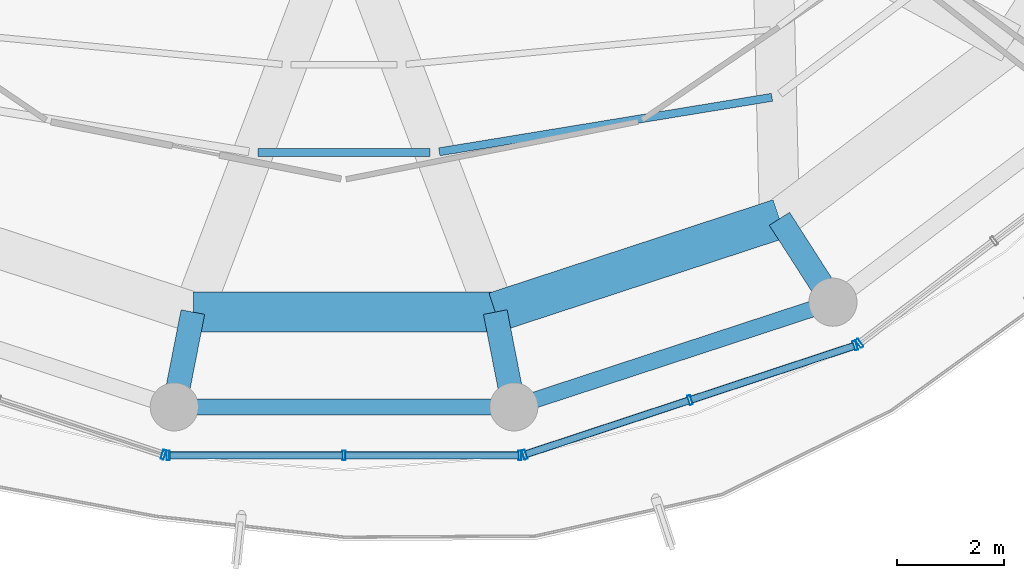
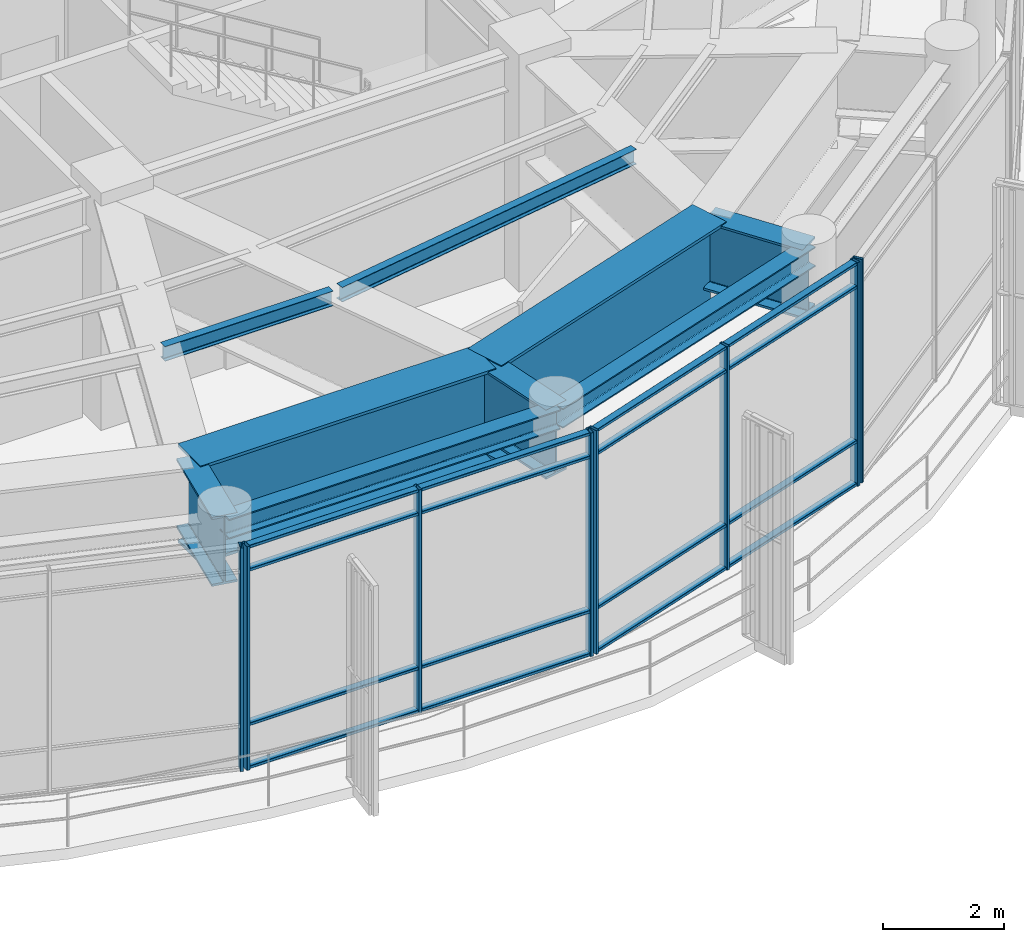
# One storey, part 5 of 23: 24 members, 9 beams, 4 elements without a shape of their own.
"""IFC4 building model written with IfcOpenShell, lengths in metres."""

from ifc_helpers import new_model, si_unit, direction, frame, origin, origin_2d, place, context, subcontext, project, spatial, hollow_rectangle, i_section, extrude, material, layer, layer_set, material_profile, profile_set, type_object, element, aggregate, save


model = new_model("IFC4")

# Units and contexts
model_context = context("Model", 3, precision=1e-05, world=origin(), true_north=direction((0.0, 1.0)))
body_context = subcontext(model_context, "Body", "Model", "MODEL_VIEW")
ifc_project = project(units=[si_unit("LENGTHUNIT", "METRE"), si_unit("AREAUNIT", "SQUARE_METRE"), si_unit("VOLUMEUNIT", "CUBIC_METRE"), si_unit("PLANEANGLEUNIT", "RADIAN"), si_unit("MASSUNIT", "GRAM", prefix="KILO")], contexts=[model_context])

# Site, building, storey
site_placement = place(None, origin())
site = spatial("IfcSite", under=ifc_project, at=site_placement, CompositionType="ELEMENT")
building_placement = place(site_placement, origin())
building = spatial("IfcBuilding", under=site, at=building_placement, Name="Kelanora Arch Commons", CompositionType="ELEMENT")
storey_placement = place(building_placement, frame((0.0, 0.0, 293.699951171875)))
storey = spatial("IfcBuildingStorey", under=building, at=storey_placement, Name="L75", CompositionType="ELEMENT", Elevation=293.699951171875)

# Beams
ifc_material_1 = material(Name="Steel S355", Category="steel")
ifc_material_profile_1 = material_profile(ifc_material_1, i_section(OverallWidth=0.14990234375, OverallDepth=0.300048828125, WebThickness=0.007080078125, FlangeThickness=0.0107421875, FilletRadius=0.014892578125, at=origin_2d()), Name="IPE300")
ifc_profile_set_1 = profile_set([ifc_material_profile_1], Name="Steel S355")
beam_type_1 = type_object("IfcBeamType", Name="BM-JST-01", PredefinedType="JOIST", material=ifc_profile_set_1)
beam_1_placement = place(storey_placement, frame((72.388916015625, 46.52587890625, 4.39013671875), z_axis=(1.0, 0.0, 0.0), x_axis=(0.0, 1.0, 0.0)))
element("IfcBeam", 1, at=beam_1_placement, inside=storey, type_object=beam_type_1, Name="Secondary Chord Joist BJB-26 L75", PredefinedType="JOIST", context=body_context, shape_type="SweptSolid", body=[
    extrude(i_section(OverallWidth=0.14990234375, OverallDepth=0.300048828125, WebThickness=0.007080078125, FlangeThickness=0.0107421875, FilletRadius=0.014892578125, at=origin_2d()), origin(), (0.0, 0.0, 1.0), 3.22216796875),
])
beam_2_placement = place(storey_placement, frame((75.780029296875, 46.53955078125, 4.39013671875), z_axis=(0.986849654094, 0.16164083709, 0.0), x_axis=(-0.16164083709, 0.986849654094, 0.0)))
element("IfcBeam", 2, at=beam_2_placement, inside=storey, type_object=beam_type_1, Name="Secondary Chord Joist BJB-28 L75", PredefinedType="JOIST", context=body_context, shape_type="SweptSolid", body=[
    extrude(i_section(OverallWidth=0.14990234375, OverallDepth=0.300048828125, WebThickness=0.007080078125, FlangeThickness=0.0107421875, FilletRadius=0.014892578125, at=origin_2d()), origin(), (0.0, 0.0, 1.0), 6.302734375),
])
ifc_material_profile_2 = material_profile(ifc_material_1, i_section(OverallWidth=0.449951171875, OverallDepth=1.39990234375, WebThickness=0.028076171875, FlangeThickness=0.044921875, FilletRadius=0.02392578125, at=origin_2d()), Name="PG1400x450")
ifc_profile_set_2 = profile_set([ifc_material_profile_2], Name="Steel S355")
beam_type_2 = type_object("IfcBeamType", Name="BM-MAST-GRIL", PredefinedType="USERDEFINED", material=ifc_profile_set_2)
for number, where, z_axis, x_axis, name in (
    (3, (71.173095703125, 43.54296875, 3.820068359375), (-0.192345549557, -0.981327259158, 0.0), (0.981327259158, -0.192345549557, 0.0), "Radial Floor Girder BR-26 L75"),
    (4, (76.826904296875, 43.54296875, 3.820068359375), (0.192345549557, -0.981327259158, 0.0), (0.981327259158, 0.192345549557, 0.0), "Radial Floor Girder BR-28 L75"),
):
    element("IfcBeam", number, at=place(storey_placement, frame(where, z_axis=z_axis, x_axis=x_axis)), inside=storey, type_object=beam_type_2, Name=name, ObjectType="TRANSFER_GIRDER", PredefinedType="USERDEFINED", context=body_context, shape_type="SweptSolid", body=[
        extrude(i_section(OverallWidth=0.449951171875, OverallDepth=1.39990234375, WebThickness=0.028076171875, FlangeThickness=0.044921875, FilletRadius=0.02392578125, at=origin_2d()), origin(), (0.0, 0.0, 1.0), 1.80615234375),
    ])
beam_3_placement = place(storey_placement, frame((82.139892578125, 45.28662109375, 3.820068359375), z_axis=(0.539951170106, -0.841696343048, 0.0), x_axis=(0.841696343048, 0.539951170106, 0.0)))
element("IfcBeam", 5, at=beam_3_placement, inside=storey, type_object=beam_type_2, Name="Radial Floor Girder BR-30 L75", ObjectType="TRANSFER_GIRDER", PredefinedType="USERDEFINED", context=body_context, shape_type="SweptSolid", body=[
    extrude(i_section(OverallWidth=0.449951171875, OverallDepth=1.39990234375, WebThickness=0.028076171875, FlangeThickness=0.044921875, FilletRadius=0.02392578125, at=origin_2d()), origin(), (0.0, 0.0, 1.0), 1.85205078125),
])
ifc_material_profile_3 = material_profile(ifc_material_1, i_section(OverallWidth=0.300048828125, OverallDepth=0.39990234375, WebThickness=0.013427734375, FlangeThickness=0.02392578125, FilletRadius=0.027099609375, at=origin_2d()), Name="HEB400")
ifc_profile_set_3 = profile_set([ifc_material_profile_3], Name="Steel S355")
beam_type_3 = type_object("IfcBeamType", Name="BM-SPN-Z4", PredefinedType="SPANDREL", material=ifc_profile_set_3)
beam_4_placement = place(storey_placement, frame((70.82568359375, 41.7705078125, 4.320068359375), z_axis=(1.0, 0.0, 0.0), x_axis=(0.0, 1.0, 0.0)))
element("IfcBeam", 6, at=beam_4_placement, inside=storey, type_object=beam_type_3, Name="Perimeter Spandrel Beam BS-26 L75", PredefinedType="SPANDREL", context=body_context, shape_type="SweptSolid", body=[
    extrude(i_section(OverallWidth=0.300048828125, OverallDepth=0.39990234375, WebThickness=0.013427734375, FlangeThickness=0.02392578125, FilletRadius=0.027099609375, at=origin_2d()), origin(), (0.0, 0.0, 1.0), 6.3486328125),
])
beam_5_placement = place(storey_placement, frame((77.17431640625, 41.7705078125, 4.320068359375), z_axis=(0.950165923039, 0.311744636996, 0.0), x_axis=(-0.311744636996, 0.950165923039, 0.0)))
element("IfcBeam", 7, at=beam_5_placement, inside=storey, type_object=beam_type_3, Name="Perimeter Spandrel Beam BS-28 L75", PredefinedType="SPANDREL", context=body_context, shape_type="SweptSolid", body=[
    extrude(i_section(OverallWidth=0.300048828125, OverallDepth=0.39990234375, WebThickness=0.013427734375, FlangeThickness=0.02392578125, FilletRadius=0.027099609375, at=origin_2d()), origin(), (0.0, 0.0, 1.0), 6.278564453125),
])
ifc_material_profile_4 = material_profile(ifc_material_1, i_section(OverallWidth=0.75, OverallDepth=2.0, WebThickness=0.034912109375, FlangeThickness=0.06005859375, FilletRadius=0.028076171875, at=origin_2d()), Name="PG2000x750")
ifc_profile_set_4 = profile_set([ifc_material_profile_4], Name="Steel S355")
beam_type_4 = type_object("IfcBeamType", Name="BM-XFER-SET", PredefinedType="USERDEFINED", material=ifc_profile_set_4)
beam_6_placement = place(storey_placement, frame((71.173095703125, 43.54296875, 3.5400390625), z_axis=(1.0, 0.0, 0.0), x_axis=(0.0, 1.0, 0.0)))
element("IfcBeam", 8, at=beam_6_placement, inside=storey, type_object=beam_type_4, Name="Setback Inner Transfer Ring BSI-26 L75", ObjectType="TRANSFER_GIRDER", PredefinedType="USERDEFINED", context=body_context, shape_type="SweptSolid", body=[
    extrude(i_section(OverallWidth=0.75, OverallDepth=2.0, WebThickness=0.034912109375, FlangeThickness=0.06005859375, FilletRadius=0.028076171875, at=origin_2d()), origin(), (0.0, 0.0, 1.0), 5.65380859375),
])
beam_7_placement = place(storey_placement, frame((76.826904296875, 43.54296875, 3.5400390625), z_axis=(0.950140083071, 0.311823383572, 0.0), x_axis=(-0.311823383572, 0.950140083071, 0.0)))
element("IfcBeam", 9, at=beam_7_placement, inside=storey, type_object=beam_type_4, Name="Setback Inner Transfer Ring BSI-28 L75", ObjectType="TRANSFER_GIRDER", PredefinedType="USERDEFINED", context=body_context, shape_type="SweptSolid", body=[
    extrude(i_section(OverallWidth=0.75, OverallDepth=2.0, WebThickness=0.034912109375, FlangeThickness=0.06005859375, FilletRadius=0.028076171875, at=origin_2d()), origin(), (0.0, 0.0, 1.0), 5.591796875),
])

# Curtain wall, member
ifc_material_2 = material(Name="Terracotta ceramic-fritted low-E glass and aluminium", Category="masonry")
ifc_layer = layer(ifc_material_2, 0.22509765625)
ifc_layer_set = layer_set([ifc_layer], Name="Terracotta ceramic-fritted low-E glass and aluminium")
curtain_wall_type = type_object("IfcCurtainWallType", Name="CW-SYS-05", PredefinedType="NOTDEFINED", material=ifc_layer_set)
curtain_wall_1_placement = place(storey_placement, origin())
curtain_wall_1 = element("IfcCurtainWall", 10, at=curtain_wall_1_placement, inside=storey, type_object=curtain_wall_type, Name="Unitised Curtain Wall L75-B12", PredefinedType="NOTDEFINED")
ifc_material_3 = material(Name="Powder-coated aluminium terracotta", Category="masonry")
ifc_material_profile_5 = material_profile(ifc_material_3, hollow_rectangle(XDim=0.179931640625, YDim=0.06005859375, WallThickness=0.0048828125, InnerFilletRadius=0.0048828125, OuterFilletRadius=0.010009765625, at=origin_2d()), Name="CWM180x60")
ifc_profile_set_5 = profile_set([ifc_material_profile_5], Name="Powder-coated aluminium terracotta")
member_type_1 = type_object("IfcMemberType", Name="CWM-HVY", PredefinedType="MULLION", material=ifc_profile_set_5)
member_1_placement = place(storey_placement, frame((70.623291015625, 40.87841796875, 0.0), z_axis=(0.0, 0.0, 1.0), x_axis=(0.313252785344, 0.949669780752, 0.0)))
member_1 = element("IfcMember", 11, at=member_1_placement, type_object=member_type_1, Name="CW-05 mullion 3", PredefinedType="MULLION", context=body_context, shape_type="SweptSolid", body=[
    extrude(hollow_rectangle(XDim=0.179931640625, YDim=0.06005859375, WallThickness=0.0048828125, InnerFilletRadius=0.0048828125, OuterFilletRadius=0.010009765625, at=origin_2d()), origin(), (0.0, 0.0, 1.0), 4.525146484375),
])
aggregate(curtain_wall_1, [member_1])

# Curtain wall, members
curtain_wall_2_placement = place(storey_placement, origin())
curtain_wall_2 = element("IfcCurtainWall", 12, at=curtain_wall_2_placement, inside=storey, type_object=curtain_wall_type, Name="Unitised Curtain Wall L75-B13", PredefinedType="NOTDEFINED")
member_2_placement = place(storey_placement, frame((70.7109375, 40.8642578125, 0.0), z_axis=(0.0, 0.0, 1.0), x_axis=(0.0, 1.0, 0.0)))
member_2 = element("IfcMember", 13, at=member_2_placement, type_object=member_type_1, Name="CW-05 mullion 1", PredefinedType="MULLION", context=body_context, shape_type="SweptSolid", body=[
    extrude(hollow_rectangle(XDim=0.179931640625, YDim=0.06005859375, WallThickness=0.0048828125, InnerFilletRadius=0.0048828125, OuterFilletRadius=0.010009765625, at=origin_2d()), origin(), (0.0, 0.0, 1.0), 4.525146484375),
])
member_3_placement = place(storey_placement, frame((74.0, 40.8642578125, 0.0), z_axis=(0.0, 0.0, 1.0), x_axis=(0.0, 1.0, 0.0)))
member_3 = element("IfcMember", 14, at=member_3_placement, type_object=member_type_1, Name="CW-05 mullion 2", PredefinedType="MULLION", context=body_context, shape_type="SweptSolid", body=[
    extrude(hollow_rectangle(XDim=0.179931640625, YDim=0.06005859375, WallThickness=0.0048828125, InnerFilletRadius=0.0048828125, OuterFilletRadius=0.010009765625, at=origin_2d()), origin(), (0.0, 0.0, 1.0), 4.525146484375),
])
member_4_placement = place(storey_placement, frame((77.2890625, 40.8642578125, 0.0), z_axis=(0.0, 0.0, 1.0), x_axis=(0.0, 1.0, 0.0)))
member_4 = element("IfcMember", 15, at=member_4_placement, type_object=member_type_1, Name="CW-05 mullion 3", PredefinedType="MULLION", context=body_context, shape_type="SweptSolid", body=[
    extrude(hollow_rectangle(XDim=0.179931640625, YDim=0.06005859375, WallThickness=0.0048828125, InnerFilletRadius=0.0048828125, OuterFilletRadius=0.010009765625, at=origin_2d()), origin(), (0.0, 0.0, 1.0), 4.525146484375),
])

curtain_wall_3_placement = place(storey_placement, origin())
curtain_wall_3 = element("IfcCurtainWall", 16, at=curtain_wall_3_placement, inside=storey, type_object=curtain_wall_type, Name="Unitised Curtain Wall L75-B14", PredefinedType="NOTDEFINED")
member_5_placement = place(storey_placement, frame((77.376708984375, 40.87841796875, 0.0), z_axis=(0.0, 0.0, 1.0), x_axis=(-0.313252785344, 0.949669780752, 0.0)))
member_5 = element("IfcMember", 17, at=member_5_placement, type_object=member_type_1, Name="CW-05 mullion 1", PredefinedType="MULLION", context=body_context, shape_type="SweptSolid", body=[
    extrude(hollow_rectangle(XDim=0.179931640625, YDim=0.06005859375, WallThickness=0.0048828125, InnerFilletRadius=0.0048828125, OuterFilletRadius=0.010009765625, at=origin_2d()), origin(), (0.0, 0.0, 1.0), 4.525146484375),
])
member_6_placement = place(storey_placement, frame((80.467041015625, 41.897705078125, 0.0), z_axis=(0.0, 0.0, 1.0), x_axis=(-0.313252785344, 0.949669780752, 0.0)))
member_6 = element("IfcMember", 18, at=member_6_placement, type_object=member_type_1, Name="CW-05 mullion 2", PredefinedType="MULLION", context=body_context, shape_type="SweptSolid", body=[
    extrude(hollow_rectangle(XDim=0.179931640625, YDim=0.06005859375, WallThickness=0.0048828125, InnerFilletRadius=0.0048828125, OuterFilletRadius=0.010009765625, at=origin_2d()), origin(), (0.0, 0.0, 1.0), 4.525146484375),
])
member_7_placement = place(storey_placement, frame((83.557373046875, 42.9169921875, 0.0), z_axis=(0.0, 0.0, 1.0), x_axis=(-0.313252785344, 0.949669780752, 0.0)))
member_7 = element("IfcMember", 19, at=member_7_placement, type_object=member_type_1, Name="CW-05 mullion 3", PredefinedType="MULLION", context=body_context, shape_type="SweptSolid", body=[
    extrude(hollow_rectangle(XDim=0.179931640625, YDim=0.06005859375, WallThickness=0.0048828125, InnerFilletRadius=0.0048828125, OuterFilletRadius=0.010009765625, at=origin_2d()), origin(), (0.0, 0.0, 1.0), 4.525146484375),
])

# Curtain wall, member
curtain_wall_4_placement = place(storey_placement, origin())
curtain_wall_4 = element("IfcCurtainWall", 20, at=curtain_wall_4_placement, inside=storey, type_object=curtain_wall_type, Name="Unitised Curtain Wall L75-B15", PredefinedType="NOTDEFINED")
member_8_placement = place(storey_placement, frame((83.6357421875, 42.95849609375, 0.0), z_axis=(0.0, 0.0, 1.0), x_axis=(-0.605284905243, 0.796008909174, 0.0)))
member_8 = element("IfcMember", 21, at=member_8_placement, type_object=member_type_1, Name="CW-05 mullion 1", PredefinedType="MULLION", context=body_context, shape_type="SweptSolid", body=[
    extrude(hollow_rectangle(XDim=0.179931640625, YDim=0.06005859375, WallThickness=0.0048828125, InnerFilletRadius=0.0048828125, OuterFilletRadius=0.010009765625, at=origin_2d()), origin(), (0.0, 0.0, 1.0), 4.525146484375),
])
aggregate(curtain_wall_4, [member_8])

# Member
ifc_material_profile_6 = material_profile(ifc_material_3, hollow_rectangle(XDim=0.139892578125, YDim=0.06005859375, WallThickness=0.0048828125, InnerFilletRadius=0.0048828125, OuterFilletRadius=0.010009765625, at=origin_2d()), Name="CWT140x60")
ifc_profile_set_6 = profile_set([ifc_material_profile_6], Name="Powder-coated aluminium terracotta")
member_type_2 = type_object("IfcMemberType", Name="CWT-HVY", PredefinedType="USERDEFINED", material=ifc_profile_set_6)
member_9_placement = place(storey_placement, frame((70.740966796875, 40.8642578125, 0.030029296875), z_axis=(1.0, 0.0, 0.0), x_axis=(0.0, 1.0, 0.0)))
member_9 = element("IfcMember", 22, at=member_9_placement, type_object=member_type_2, Name="CW-05 transom 1.1", ObjectType="TRANSOM", PredefinedType="USERDEFINED", context=body_context, shape_type="SweptSolid", body=[
    extrude(hollow_rectangle(XDim=0.139892578125, YDim=0.06005859375, WallThickness=0.0048828125, InnerFilletRadius=0.0048828125, OuterFilletRadius=0.010009765625, at=origin_2d()), origin(), (0.0, 0.0, 1.0), 3.22900390625),
])

member_10_placement = place(storey_placement, frame((70.740966796875, 40.8642578125, 0.900146484375), z_axis=(1.0, 0.0, 0.0), x_axis=(0.0, 1.0, 0.0)))
member_10 = element("IfcMember", 23, at=member_10_placement, type_object=member_type_2, Name="CW-05 transom 1.2", ObjectType="TRANSOM", PredefinedType="USERDEFINED", context=body_context, shape_type="SweptSolid", body=[
    extrude(hollow_rectangle(XDim=0.139892578125, YDim=0.06005859375, WallThickness=0.0048828125, InnerFilletRadius=0.0048828125, OuterFilletRadius=0.010009765625, at=origin_2d()), origin(), (0.0, 0.0, 1.0), 3.22900390625),
])

member_11_placement = place(storey_placement, frame((70.740966796875, 40.8642578125, 4.025146484375), z_axis=(1.0, 0.0, 0.0), x_axis=(0.0, 1.0, 0.0)))
member_11 = element("IfcMember", 24, at=member_11_placement, type_object=member_type_2, Name="CW-05 transom 1.3", ObjectType="TRANSOM", PredefinedType="USERDEFINED", context=body_context, shape_type="SweptSolid", body=[
    extrude(hollow_rectangle(XDim=0.139892578125, YDim=0.06005859375, WallThickness=0.0048828125, InnerFilletRadius=0.0048828125, OuterFilletRadius=0.010009765625, at=origin_2d()), origin(), (0.0, 0.0, 1.0), 3.22900390625),
])

member_12_placement = place(storey_placement, frame((70.740966796875, 40.8642578125, 4.4951171875), z_axis=(1.0, 0.0, 0.0), x_axis=(0.0, 1.0, 0.0)))
member_12 = element("IfcMember", 25, at=member_12_placement, type_object=member_type_2, Name="CW-05 transom 1.4", ObjectType="TRANSOM", PredefinedType="USERDEFINED", context=body_context, shape_type="SweptSolid", body=[
    extrude(hollow_rectangle(XDim=0.139892578125, YDim=0.06005859375, WallThickness=0.0048828125, InnerFilletRadius=0.0048828125, OuterFilletRadius=0.010009765625, at=origin_2d()), origin(), (0.0, 0.0, 1.0), 3.22900390625),
])

member_13_placement = place(storey_placement, frame((74.030029296875, 40.8642578125, 0.030029296875), z_axis=(1.0, 0.0, 0.0), x_axis=(0.0, 1.0, 0.0)))
member_13 = element("IfcMember", 26, at=member_13_placement, type_object=member_type_2, Name="CW-05 transom 2.1", ObjectType="TRANSOM", PredefinedType="USERDEFINED", context=body_context, shape_type="SweptSolid", body=[
    extrude(hollow_rectangle(XDim=0.139892578125, YDim=0.06005859375, WallThickness=0.0048828125, InnerFilletRadius=0.0048828125, OuterFilletRadius=0.010009765625, at=origin_2d()), origin(), (0.0, 0.0, 1.0), 3.22900390625),
])

member_14_placement = place(storey_placement, frame((74.030029296875, 40.8642578125, 0.900146484375), z_axis=(1.0, 0.0, 0.0), x_axis=(0.0, 1.0, 0.0)))
member_14 = element("IfcMember", 27, at=member_14_placement, type_object=member_type_2, Name="CW-05 transom 2.2", ObjectType="TRANSOM", PredefinedType="USERDEFINED", context=body_context, shape_type="SweptSolid", body=[
    extrude(hollow_rectangle(XDim=0.139892578125, YDim=0.06005859375, WallThickness=0.0048828125, InnerFilletRadius=0.0048828125, OuterFilletRadius=0.010009765625, at=origin_2d()), origin(), (0.0, 0.0, 1.0), 3.22900390625),
])

member_15_placement = place(storey_placement, frame((74.030029296875, 40.8642578125, 4.025146484375), z_axis=(1.0, 0.0, 0.0), x_axis=(0.0, 1.0, 0.0)))
member_15 = element("IfcMember", 28, at=member_15_placement, type_object=member_type_2, Name="CW-05 transom 2.3", ObjectType="TRANSOM", PredefinedType="USERDEFINED", context=body_context, shape_type="SweptSolid", body=[
    extrude(hollow_rectangle(XDim=0.139892578125, YDim=0.06005859375, WallThickness=0.0048828125, InnerFilletRadius=0.0048828125, OuterFilletRadius=0.010009765625, at=origin_2d()), origin(), (0.0, 0.0, 1.0), 3.22900390625),
])

member_16_placement = place(storey_placement, frame((74.030029296875, 40.8642578125, 4.4951171875), z_axis=(1.0, 0.0, 0.0), x_axis=(0.0, 1.0, 0.0)))
member_16 = element("IfcMember", 29, at=member_16_placement, type_object=member_type_2, Name="CW-05 transom 2.4", ObjectType="TRANSOM", PredefinedType="USERDEFINED", context=body_context, shape_type="SweptSolid", body=[
    extrude(hollow_rectangle(XDim=0.139892578125, YDim=0.06005859375, WallThickness=0.0048828125, InnerFilletRadius=0.0048828125, OuterFilletRadius=0.010009765625, at=origin_2d()), origin(), (0.0, 0.0, 1.0), 3.22900390625),
])

aggregate(curtain_wall_2, [member_2, member_3, member_4, member_9, member_10, member_11, member_12, member_13, member_14, member_15, member_16])

member_17_placement = place(storey_placement, frame((77.4052734375, 40.8876953125, 0.030029296875), z_axis=(0.949649574195, 0.313314037719, 0.0), x_axis=(-0.313314037719, 0.949649574195, 0.0)))
member_17 = element("IfcMember", 30, at=member_17_placement, type_object=member_type_2, Name="CW-05 transom 1.1", ObjectType="TRANSOM", PredefinedType="USERDEFINED", context=body_context, shape_type="SweptSolid", body=[
    extrude(hollow_rectangle(XDim=0.139892578125, YDim=0.06005859375, WallThickness=0.0048828125, InnerFilletRadius=0.0048828125, OuterFilletRadius=0.010009765625, at=origin_2d()), origin(), (0.0, 0.0, 1.0), 3.194091796875),
])

member_18_placement = place(storey_placement, frame((77.4052734375, 40.8876953125, 0.900146484375), z_axis=(0.949649574195, 0.313314037719, 0.0), x_axis=(-0.313314037719, 0.949649574195, 0.0)))
member_18 = element("IfcMember", 31, at=member_18_placement, type_object=member_type_2, Name="CW-05 transom 1.2", ObjectType="TRANSOM", PredefinedType="USERDEFINED", context=body_context, shape_type="SweptSolid", body=[
    extrude(hollow_rectangle(XDim=0.139892578125, YDim=0.06005859375, WallThickness=0.0048828125, InnerFilletRadius=0.0048828125, OuterFilletRadius=0.010009765625, at=origin_2d()), origin(), (0.0, 0.0, 1.0), 3.194091796875),
])

member_19_placement = place(storey_placement, frame((77.4052734375, 40.8876953125, 4.025146484375), z_axis=(0.949649574195, 0.313314037719, 0.0), x_axis=(-0.313314037719, 0.949649574195, 0.0)))
member_19 = element("IfcMember", 32, at=member_19_placement, type_object=member_type_2, Name="CW-05 transom 1.3", ObjectType="TRANSOM", PredefinedType="USERDEFINED", context=body_context, shape_type="SweptSolid", body=[
    extrude(hollow_rectangle(XDim=0.139892578125, YDim=0.06005859375, WallThickness=0.0048828125, InnerFilletRadius=0.0048828125, OuterFilletRadius=0.010009765625, at=origin_2d()), origin(), (0.0, 0.0, 1.0), 3.194091796875),
])

member_20_placement = place(storey_placement, frame((77.4052734375, 40.8876953125, 4.4951171875), z_axis=(0.949649574195, 0.313314037719, 0.0), x_axis=(-0.313314037719, 0.949649574195, 0.0)))
member_20 = element("IfcMember", 33, at=member_20_placement, type_object=member_type_2, Name="CW-05 transom 1.4", ObjectType="TRANSOM", PredefinedType="USERDEFINED", context=body_context, shape_type="SweptSolid", body=[
    extrude(hollow_rectangle(XDim=0.139892578125, YDim=0.06005859375, WallThickness=0.0048828125, InnerFilletRadius=0.0048828125, OuterFilletRadius=0.010009765625, at=origin_2d()), origin(), (0.0, 0.0, 1.0), 3.194091796875),
])

member_21_placement = place(storey_placement, frame((80.49560546875, 41.9072265625, 0.030029296875), z_axis=(0.949672315102, 0.313245102003, 0.0), x_axis=(-0.313245102003, 0.949672315102, 0.0)))
member_21 = element("IfcMember", 34, at=member_21_placement, type_object=member_type_2, Name="CW-05 transom 2.1", ObjectType="TRANSOM", PredefinedType="USERDEFINED", context=body_context, shape_type="SweptSolid", body=[
    extrude(hollow_rectangle(XDim=0.139892578125, YDim=0.06005859375, WallThickness=0.0048828125, InnerFilletRadius=0.0048828125, OuterFilletRadius=0.010009765625, at=origin_2d()), origin(), (0.0, 0.0, 1.0), 3.19384765625),
])

member_22_placement = place(storey_placement, frame((80.49560546875, 41.9072265625, 0.900146484375), z_axis=(0.949672315102, 0.313245102003, 0.0), x_axis=(-0.313245102003, 0.949672315102, 0.0)))
member_22 = element("IfcMember", 35, at=member_22_placement, type_object=member_type_2, Name="CW-05 transom 2.2", ObjectType="TRANSOM", PredefinedType="USERDEFINED", context=body_context, shape_type="SweptSolid", body=[
    extrude(hollow_rectangle(XDim=0.139892578125, YDim=0.06005859375, WallThickness=0.0048828125, InnerFilletRadius=0.0048828125, OuterFilletRadius=0.010009765625, at=origin_2d()), origin(), (0.0, 0.0, 1.0), 3.19384765625),
])

member_23_placement = place(storey_placement, frame((80.49560546875, 41.9072265625, 4.025146484375), z_axis=(0.949672315102, 0.313245102003, 0.0), x_axis=(-0.313245102003, 0.949672315102, 0.0)))
member_23 = element("IfcMember", 36, at=member_23_placement, type_object=member_type_2, Name="CW-05 transom 2.3", ObjectType="TRANSOM", PredefinedType="USERDEFINED", context=body_context, shape_type="SweptSolid", body=[
    extrude(hollow_rectangle(XDim=0.139892578125, YDim=0.06005859375, WallThickness=0.0048828125, InnerFilletRadius=0.0048828125, OuterFilletRadius=0.010009765625, at=origin_2d()), origin(), (0.0, 0.0, 1.0), 3.19384765625),
])

member_24_placement = place(storey_placement, frame((80.49560546875, 41.9072265625, 4.4951171875), z_axis=(0.949672315102, 0.313245102003, 0.0), x_axis=(-0.313245102003, 0.949672315102, 0.0)))
member_24 = element("IfcMember", 37, at=member_24_placement, type_object=member_type_2, Name="CW-05 transom 2.4", ObjectType="TRANSOM", PredefinedType="USERDEFINED", context=body_context, shape_type="SweptSolid", body=[
    extrude(hollow_rectangle(XDim=0.139892578125, YDim=0.06005859375, WallThickness=0.0048828125, InnerFilletRadius=0.0048828125, OuterFilletRadius=0.010009765625, at=origin_2d()), origin(), (0.0, 0.0, 1.0), 3.19384765625),
])

aggregate(curtain_wall_3, [member_5, member_6, member_7, member_17, member_18, member_19, member_20, member_21, member_22, member_23, member_24])

save(model, "model.ifc")
